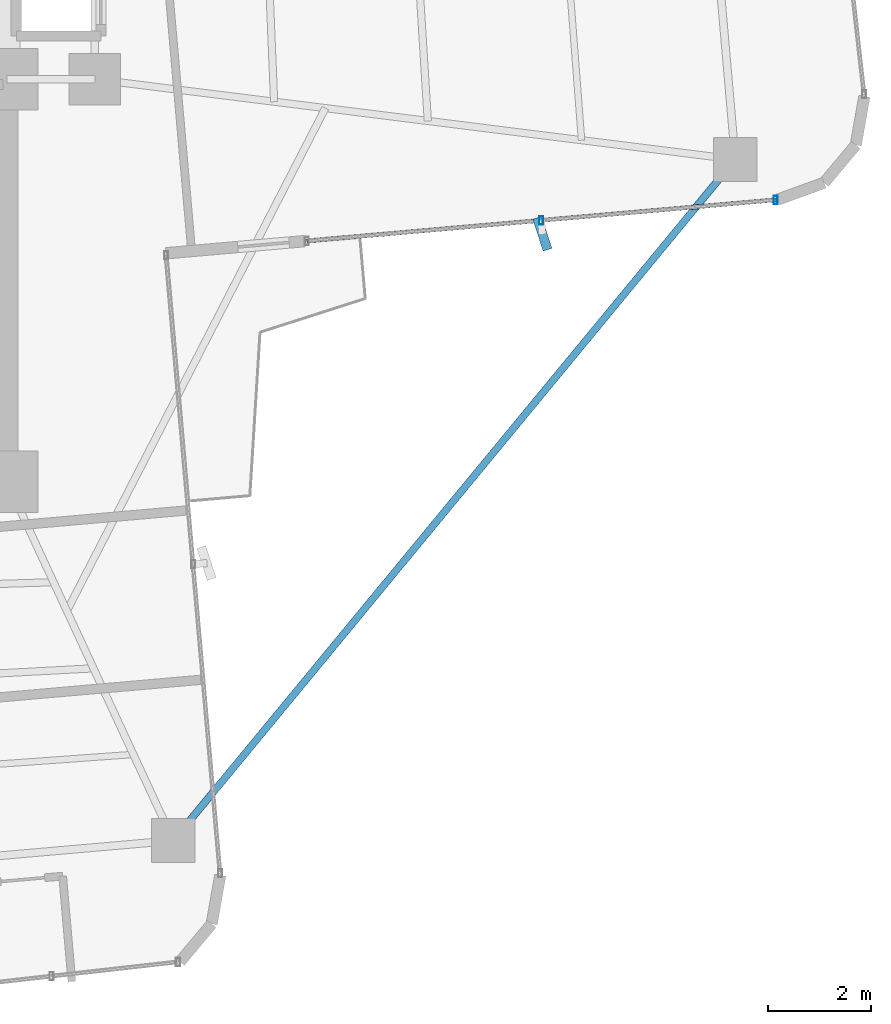
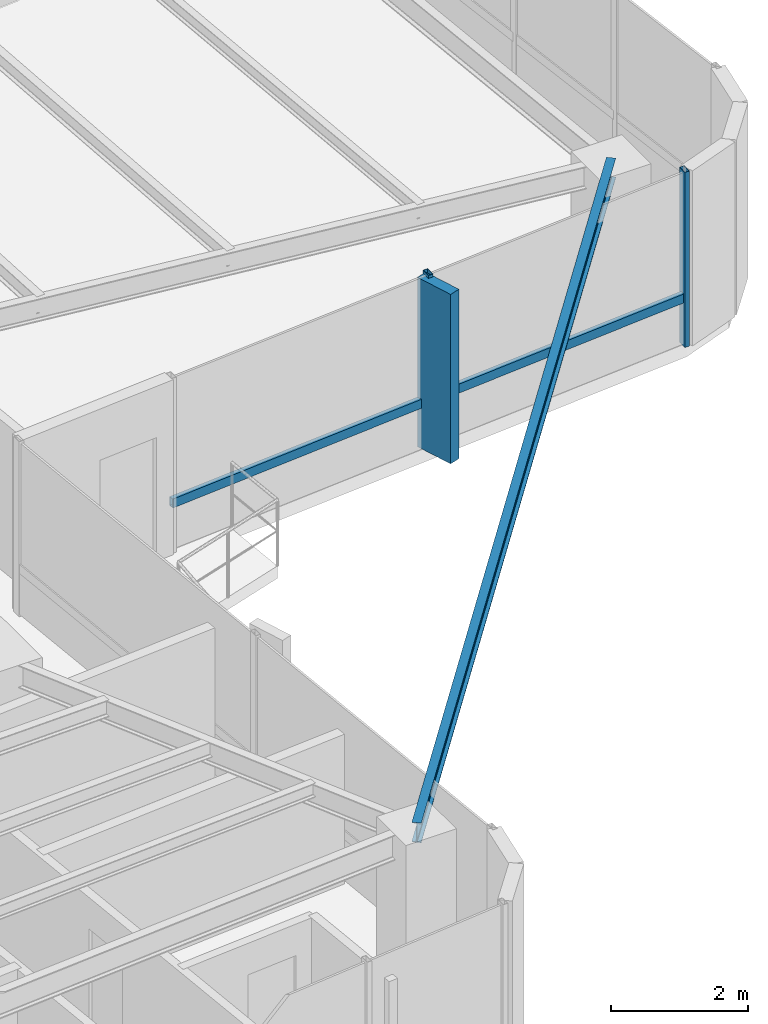
# One storey, part 13 of 24: 5 members, 1 beam, 1 element without a shape of its own.
"""IFC4 building model written with IfcOpenShell, lengths in metres."""

from ifc_helpers import new_model, si_unit, direction, frame, origin, origin_2d, place, context, subcontext, project, spatial, rectangle, hollow_rectangle, i_section, extrude, source, transform, mapped, material, material_profile, profile_set, type_object, element, aggregate, save


model = new_model("IFC4")

# Units and contexts
model_context = context("Model", 3, precision=1e-05, world=origin(), true_north=direction((0.0, 1.0)))
body_context = subcontext(model_context, "Body", "Model", "MODEL_VIEW")
ifc_project = project(units=[si_unit("LENGTHUNIT", "METRE"), si_unit("AREAUNIT", "SQUARE_METRE"), si_unit("VOLUMEUNIT", "CUBIC_METRE"), si_unit("PLANEANGLEUNIT", "RADIAN"), si_unit("MASSUNIT", "GRAM", prefix="KILO")], contexts=[model_context])

# Site, building, storey
site_placement = place(None, origin())
site = spatial("IfcSite", under=ifc_project, at=site_placement, CompositionType="ELEMENT")
building_placement = place(site_placement, origin())
building = spatial("IfcBuilding", under=site, at=building_placement, Name="Sahyath Konkavel Grand Hotel", CompositionType="ELEMENT")
storey_placement = place(building_placement, frame((0.0, 0.0, 185.25)))
storey = spatial("IfcBuildingStorey", under=building, at=storey_placement, Name="L51", CompositionType="ELEMENT", Elevation=185.25)

# Beam
ifc_material_1 = material(Name="Steel E350", Category="steel")
ifc_material_profile_1 = material_profile(ifc_material_1, i_section(OverallWidth=0.139892578125, OverallDepth=0.35009765625, WebThickness=0.008056640625, FlangeThickness=0.01416015625, FilletRadius=0.013916015625, at=origin_2d()), Name="ISMB 350")
ifc_profile_set_1 = profile_set([ifc_material_profile_1], Name="Steel E350")
beam_type = type_object("IfcBeamType", Name="BM-ISMB350", PredefinedType="BEAM", material=ifc_profile_set_1)
shared_shape_1 = source(origin(), body_context, "Body", "SweptSolid", [
    extrude(i_section(OverallWidth=0.139892578125, OverallDepth=0.35009765625, WebThickness=0.008056640625, FlangeThickness=0.01416015625, FilletRadius=0.013916015625, at=origin_2d()), origin(), (0.0, 0.0, 1.0), 17.112548828125),
])
beam_placement = place(storey_placement, frame((17.912841796875, -3.953857421875, 2.93505859375), z_axis=(-0.636437070092, -0.77132863023, 0.0), x_axis=(0.77132863023, -0.636437070092, 0.0)))
element("IfcBeam", 1, at=beam_placement, inside=storey, type_object=beam_type, Name="L51 Re-Entrant Tie Beam SE", PredefinedType="BEAM", context=body_context, shape_type="MappedRepresentation", body=[
    mapped(shared_shape_1, transform((0.0, 0.0, 0.0), scale=1.0)),
])

# Curtain wall, members
ifc_material_2 = material(Name="Anodised Bronze Aluminium & Low-E Glazing", Category="aluminium")
curtain_wall_type = type_object("IfcCurtainWallType", Name="CW-ZONE3", PredefinedType="NOTDEFINED", material=ifc_material_2)
curtain_wall_placement = place(storey_placement, origin())
curtain_wall = element("IfcCurtainWall", 2, at=curtain_wall_placement, inside=storey, type_object=curtain_wall_type, Name="L51 Unitised Curtain Wall F0", PredefinedType="NOTDEFINED")
ifc_material_3 = material(Name="Warm Buff Sandstone Cladding on Concrete C50/60", Category="masonry")
ifc_material_profile_2 = material_profile(ifc_material_3, rectangle(XDim=0.179931640625, YDim=0.64990234375, at=origin_2d()), Name="FIN 180x650")
ifc_profile_set_2 = profile_set([ifc_material_profile_2], Name="Warm Buff Sandstone Cladding on Concrete C50/60")
member_type_1 = type_object("IfcMemberType", Name="FIN-SANDSTONE-650", PredefinedType="MULLION", material=ifc_profile_set_2)
shared_shape_2 = source(origin(), body_context, "Body", "SweptSolid", [
    extrude(rectangle(XDim=0.179931640625, YDim=0.64990234375, at=origin_2d()), origin(), (0.0, 0.0, 1.0), 3.010009765625),
])
member_1_placement = place(storey_placement, frame((14.17431640625, -5.39501953125, 0.050048828125), z_axis=(0.0, 0.0, 1.0), x_axis=(0.951272019071, 0.30835295642, 0.0)))
member_1 = element("IfcMember", 3, at=member_1_placement, type_object=member_type_1, Name="L51 Sandstone Vertical Solar Fin FIN F0-1", PredefinedType="MULLION", context=body_context, shape_type="MappedRepresentation", body=[
    mapped(shared_shape_2, transform((0.0, 0.0, 0.0), scale=1.0)),
])
ifc_material_4 = material(Name="Anodised Bronze Aluminium", Category="aluminium")
ifc_material_profile_3 = material_profile(ifc_material_4, hollow_rectangle(XDim=0.080078125, YDim=0.159912109375, WallThickness=0.006103515625, at=origin_2d()), Name="RHS 160x80x6")
ifc_profile_set_3 = profile_set([ifc_material_profile_3], Name="Anodised Bronze Aluminium")
member_type_2 = type_object("IfcMemberType", Name="CW-MUL-160", PredefinedType="MULLION", material=ifc_profile_set_3)
shared_shape_3 = source(origin(), body_context, "Body", "SweptSolid", [
    extrude(hollow_rectangle(XDim=0.080078125, YDim=0.159912109375, WallThickness=0.006103515625, at=origin_2d()), origin(), (0.0, 0.0, 1.0), 3.110107421875),
])
member_2_placement = place(storey_placement, frame((14.151611328125, -5.135986328125, 0.0), z_axis=(0.0, 0.0, 1.0), x_axis=(1.0, 0.0, 0.0)))
member_2 = element("IfcMember", 4, at=member_2_placement, type_object=member_type_2, Name="L51 Curtain Wall Mullion F0-1", PredefinedType="MULLION", context=body_context, shape_type="MappedRepresentation", body=[
    mapped(shared_shape_3, transform((0.0, 0.0, 0.0), scale=1.0)),
])
member_3_placement = place(storey_placement, frame((18.694091796875, -4.73876953125, 0.0), z_axis=(0.0, 0.0, 1.0), x_axis=(1.0, 0.0, 0.0)))
member_3 = element("IfcMember", 5, at=member_3_placement, type_object=member_type_2, Name="L51 Curtain Wall Mullion F0-2", PredefinedType="MULLION", context=body_context, shape_type="MappedRepresentation", body=[
    mapped(shared_shape_3, transform((0.0, 0.0, 0.0), scale=1.0)),
])
ifc_material_profile_4 = material_profile(ifc_material_4, hollow_rectangle(XDim=0.080078125, YDim=0.159912109375, WallThickness=0.006103515625, at=origin_2d()), Name="RHS 160x80x6")
ifc_profile_set_4 = profile_set([ifc_material_profile_4], Name="Anodised Bronze Aluminium")
member_type_3 = type_object("IfcMemberType", Name="CW-TRN-160", PredefinedType="USERDEFINED", material=ifc_profile_set_4)
shared_shape_4 = source(origin(), body_context, "Body", "SweptSolid", [
    extrude(hollow_rectangle(XDim=0.080078125, YDim=0.159912109375, WallThickness=0.006103515625, at=origin_2d()), origin(), (0.0, 0.0, 1.0), 4.56005859375),
])
member_4_placement = place(storey_placement, frame((9.60888671875, -5.53369140625, 0.85009765625), z_axis=(0.996189590376, 0.087214104516, 0.0), x_axis=(-0.087214104516, 0.996189590376, 0.0)))
member_4 = element("IfcMember", 6, at=member_4_placement, type_object=member_type_3, Name="L51 Curtain Wall Transom F0-0-spandrel", ObjectType="TRANSOM", PredefinedType="USERDEFINED", context=body_context, shape_type="MappedRepresentation", body=[
    mapped(shared_shape_4, transform((0.0, 0.0, 0.0), scale=1.0)),
])
shared_shape_5 = source(origin(), body_context, "Body", "SweptSolid", [
    extrude(hollow_rectangle(XDim=0.080078125, YDim=0.159912109375, WallThickness=0.006103515625, at=origin_2d()), origin(), (0.0, 0.0, 1.0), 4.559814453125),
])
member_5_placement = place(storey_placement, frame((14.151611328125, -5.135986328125, 0.85009765625), z_axis=(0.99619848155, 0.087112486804, 0.0), x_axis=(-0.087112486804, 0.99619848155, 0.0)))
member_5 = element("IfcMember", 7, at=member_5_placement, type_object=member_type_3, Name="L51 Curtain Wall Transom F0-1-spandrel", ObjectType="TRANSOM", PredefinedType="USERDEFINED", context=body_context, shape_type="MappedRepresentation", body=[
    mapped(shared_shape_5, transform((0.0, 0.0, 0.0), scale=1.0)),
])
aggregate(curtain_wall, [member_2, member_1, member_3, member_4, member_5])

save(model, "model.ifc")
